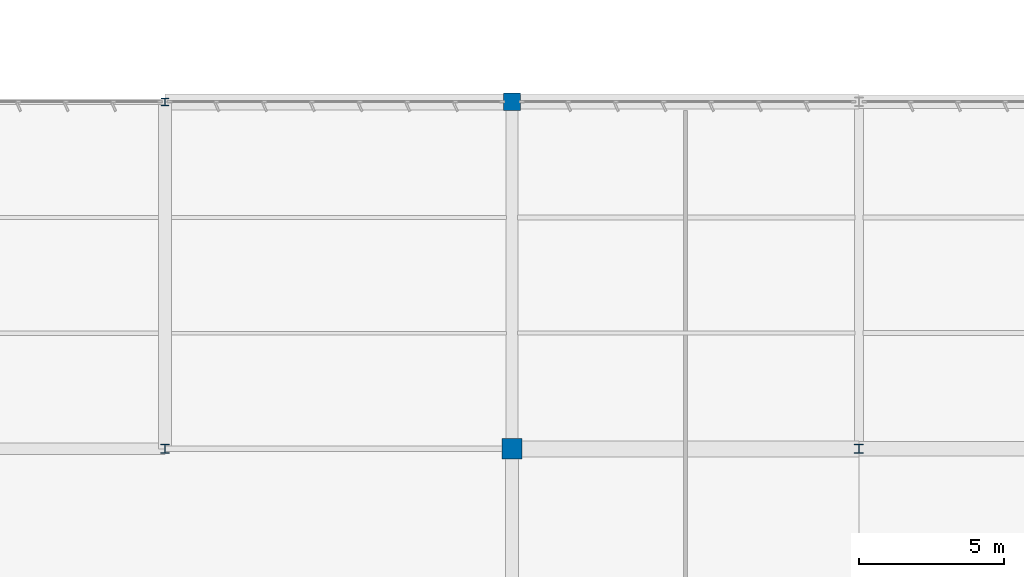
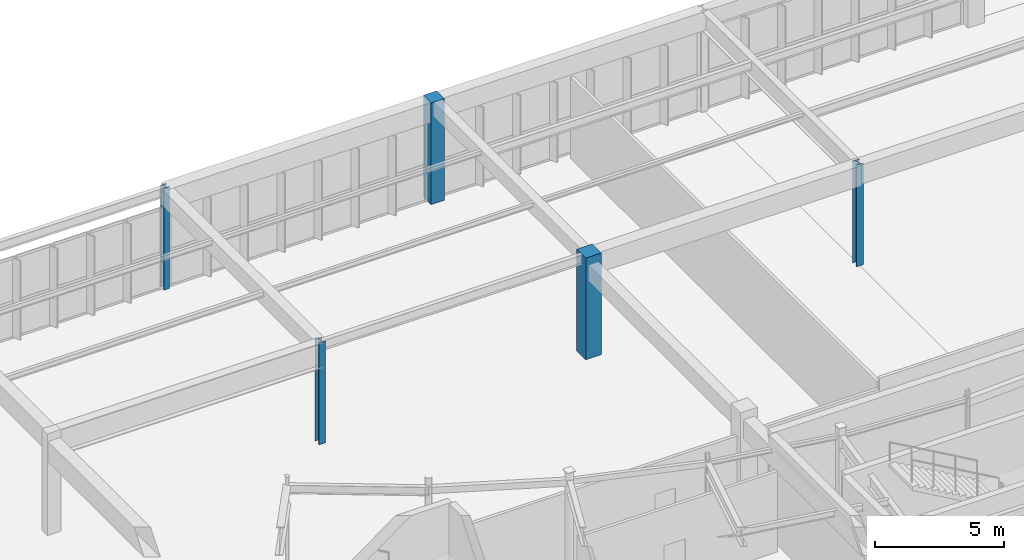
# One storey, part 13 of 186: 5 columns.
"""IFC4 building model written with IfcOpenShell, lengths in metres."""

from ifc_helpers import new_model, si_unit, direction, frame, origin, origin_2d, place, context, subcontext, project, spatial, rectangle, i_section, extrude, material, material_profile, profile_set, type_object, element, save


model = new_model("IFC4")

# Units and contexts
model_context = context("Model", 3, precision=1e-05, world=origin(), true_north=direction((0.0, 1.0)))
body_context = subcontext(model_context, "Body", "Model", "MODEL_VIEW")
ifc_project = project(units=[si_unit("LENGTHUNIT", "METRE"), si_unit("AREAUNIT", "SQUARE_METRE"), si_unit("VOLUMEUNIT", "CUBIC_METRE"), si_unit("PLANEANGLEUNIT", "RADIAN"), si_unit("MASSUNIT", "GRAM", prefix="KILO")], contexts=[model_context])

# Site, building, storey
site_placement = place(None, origin())
site = spatial("IfcSite", under=ifc_project, at=site_placement, CompositionType="ELEMENT")
building_placement = place(site_placement, origin())
building = spatial("IfcBuilding", under=site, at=building_placement, Name="Tarnwether General Hospital", CompositionType="ELEMENT")
storey_placement = place(building_placement, frame((0.0, 0.0, 9.60009765625)))
storey = spatial("IfcBuildingStorey", under=building, at=storey_placement, Name="L02", CompositionType="ELEMENT", Elevation=9.60009765625)

# Columns
ifc_material_1 = material(Name="Steel Grade 350 (350 MPa)", Category="steel")
ifc_material_profile_1 = material_profile(ifc_material_1, i_section(OverallWidth=0.30908203125, OverallDepth=0.321044921875, WebThickness=0.013916015625, FlangeThickness=0.021728515625, at=origin_2d()), Name="310UC137")
ifc_profile_set_1 = profile_set([ifc_material_profile_1], Name="Steel Grade 350 (350 MPa)")
column_type_1 = type_object("IfcColumnType", Name="COL-06", PredefinedType="COLUMN", material=ifc_profile_set_1)
column_1_placement = place(storey_placement, frame((96.0, 33.60009765625, 0.0), z_axis=(0.0, 0.0, 1.0), x_axis=(1.0, 0.0, 0.0)))
element("IfcColumn", 1, at=column_1_placement, inside=storey, type_object=column_type_1, Name="Column COLG-L02-9600_3360", PredefinedType="COLUMN", context=body_context, shape_type="SweptSolid", body=[
    extrude(i_section(OverallWidth=0.30908203125, OverallDepth=0.321044921875, WebThickness=0.013916015625, FlangeThickness=0.021728515625, at=origin_2d()), origin(), (0.0, 0.0, 1.0), 4.7998046875),
])
ifc_material_2 = material(Name="Steel Grade 350 (350 MPa)", Category="steel")
ifc_material_profile_2 = material_profile(ifc_material_2, i_section(OverallWidth=0.304931640625, OverallDepth=0.30810546875, WebThickness=0.010009765625, FlangeThickness=0.015380859375, at=origin_2d()), Name="310UC96.8")
ifc_profile_set_2 = profile_set([ifc_material_profile_2], Name="Steel Grade 350 (350 MPa)")
column_type_2 = type_object("IfcColumnType", Name="COL-08", PredefinedType="COLUMN", material=ifc_profile_set_2)
column_2_placement = place(storey_placement, frame((72.0, 33.60009765625, 0.0), z_axis=(0.0, 0.0, 1.0), x_axis=(1.0, 0.0, 0.0)))
element("IfcColumn", 2, at=column_2_placement, inside=storey, type_object=column_type_2, Name="Column COLG-L02-7200_3360", PredefinedType="COLUMN", context=body_context, shape_type="SweptSolid", body=[
    extrude(i_section(OverallWidth=0.304931640625, OverallDepth=0.30810546875, WebThickness=0.010009765625, FlangeThickness=0.015380859375, at=origin_2d()), origin(), (0.0, 0.0, 1.0), 4.7998046875),
])
ifc_material_3 = material(Name="Steel Grade 350 (350 MPa)", Category="steel")
ifc_material_profile_3 = material_profile(ifc_material_3, i_section(OverallWidth=0.256103515625, OverallDepth=0.260009765625, WebThickness=0.010498046875, FlangeThickness=0.017333984375, at=origin_2d()), Name="250UC89.5")
ifc_profile_set_3 = profile_set([ifc_material_profile_3], Name="Steel Grade 350 (350 MPa)")
column_type_3 = type_object("IfcColumnType", Name="COL-09", PredefinedType="COLUMN", material=ifc_profile_set_3)
column_3_placement = place(storey_placement, frame((72.0, 45.60009765625, 0.0), z_axis=(0.0, 0.0, 1.0), x_axis=(1.0, 0.0, 0.0)))
element("IfcColumn", 3, at=column_3_placement, inside=storey, type_object=column_type_3, Name="Column COLG-L02-7200_4560", PredefinedType="COLUMN", context=body_context, shape_type="SweptSolid", body=[
    extrude(i_section(OverallWidth=0.256103515625, OverallDepth=0.260009765625, WebThickness=0.010498046875, FlangeThickness=0.017333984375, at=origin_2d()), origin(), (0.0, 0.0, 1.0), 4.7998046875),
])
ifc_material_4 = material(Name="Concrete 50 MPa", Category="concrete")
ifc_material_profile_4 = material_profile(ifc_material_4, rectangle(XDim=0.699951171875, YDim=0.699951171875, at=origin_2d()), Name="RC-COL-700x700")
ifc_profile_set_4 = profile_set([ifc_material_profile_4], Name="Concrete 50 MPa")
column_type_4 = type_object("IfcColumnType", Name="COL-18", PredefinedType="COLUMN", material=ifc_profile_set_4)
column_4_placement = place(storey_placement, frame((84.0, 33.60009765625, 0.0), z_axis=(0.0, 0.0, 1.0), x_axis=(0.0, 1.0, 0.0)))
element("IfcColumn", 4, at=column_4_placement, inside=storey, type_object=column_type_4, Name="Column COLG-L02-8400_3360", PredefinedType="COLUMN", context=body_context, shape_type="SweptSolid", body=[
    extrude(rectangle(XDim=0.699951171875, YDim=0.699951171875, at=origin_2d()), origin(), (0.0, 0.0, 1.0), 4.7998046875),
])
ifc_material_5 = material(Name="Concrete 50 MPa", Category="concrete")
ifc_material_profile_5 = material_profile(ifc_material_5, rectangle(XDim=0.60009765625, YDim=0.60009765625, at=origin_2d()), Name="RC-COL-600x600")
ifc_profile_set_5 = profile_set([ifc_material_profile_5], Name="Concrete 50 MPa")
column_type_5 = type_object("IfcColumnType", Name="COL-19", PredefinedType="COLUMN", material=ifc_profile_set_5)
column_5_placement = place(storey_placement, frame((84.0, 45.60009765625, 0.0), z_axis=(0.0, 0.0, 1.0), x_axis=(0.0, 1.0, 0.0)))
element("IfcColumn", 5, at=column_5_placement, inside=storey, type_object=column_type_5, Name="Column COLG-L02-8400_4560", PredefinedType="COLUMN", context=body_context, shape_type="SweptSolid", body=[
    extrude(rectangle(XDim=0.60009765625, YDim=0.60009765625, at=origin_2d()), origin(), (0.0, 0.0, 1.0), 4.7998046875),
])

save(model, "model.ifc")
